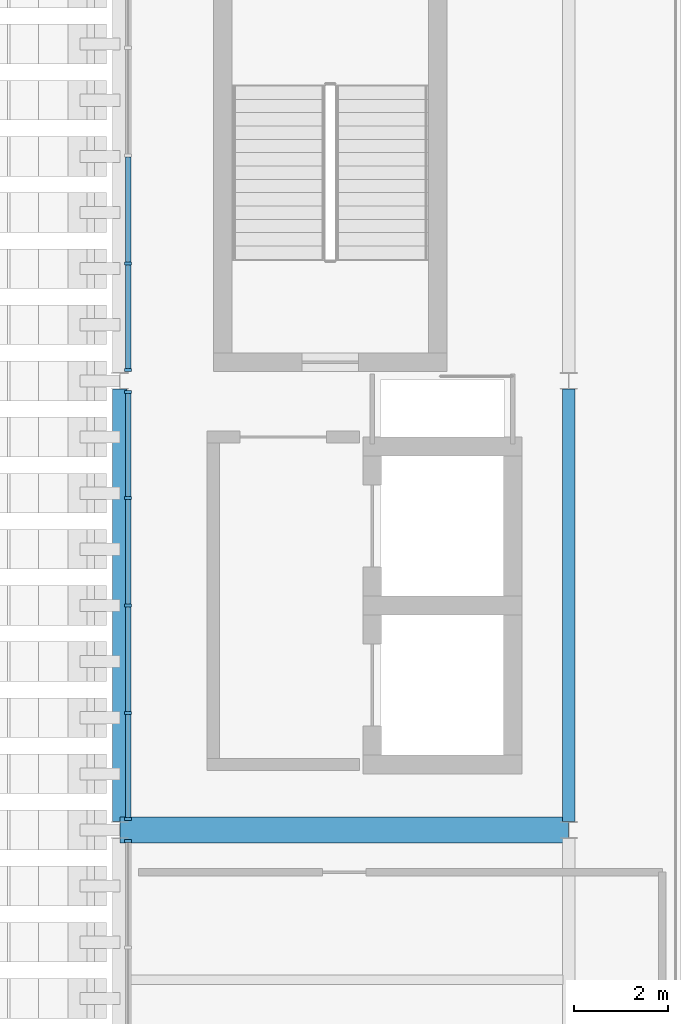
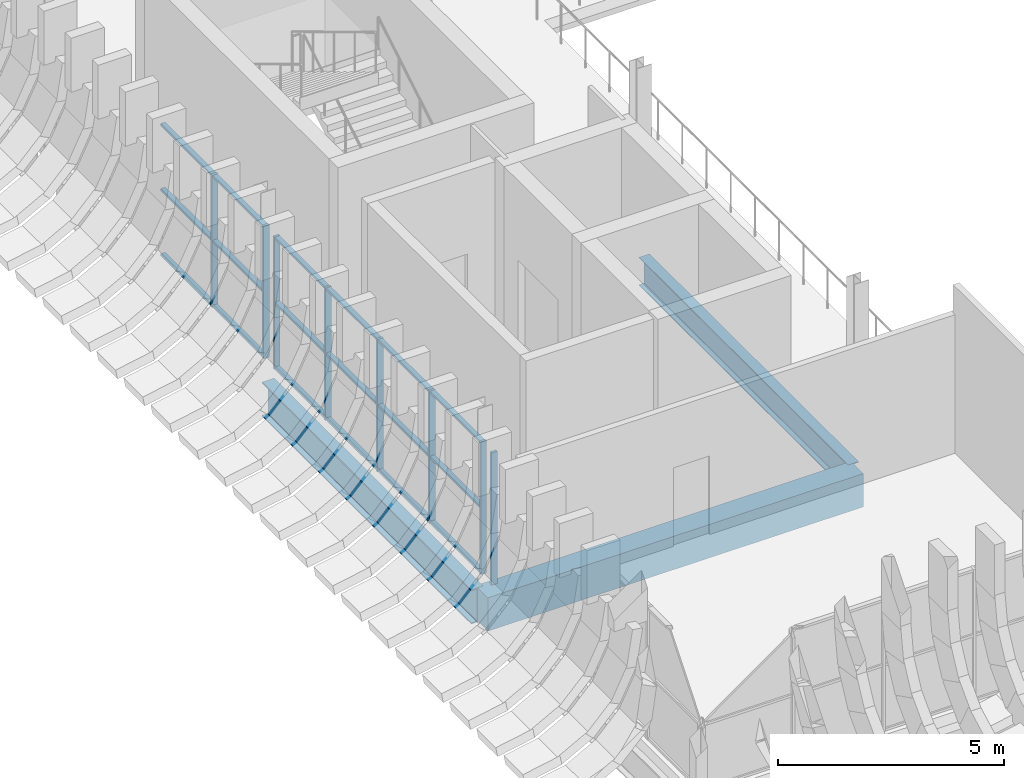
# One storey, part 16 of 100: 26 members, 3 beams, 3 elements without a shape of their own.
"""IFC4 building model written with IfcOpenShell, lengths in metres."""

import ifcopenshell
import ifcopenshell.guid

model = None  # the IFC model being written
_history = None  # IfcOwnerHistory: only IFC2X3 demands one
_inside = {}  # id of a spatial element -> (the spatial element, [elements in it])
_under = {}  # id of a project, library or spatial element -> (it, [spatial elements below it])
_declared = {}  # id of a project -> (the project, [libraries it declares])
_typed = {}  # id of a type object -> (the type object, [elements of that type])
_made_of = {}  # id of a material, layer set ... -> (it, [elements and type objects made of it])


def new_model(schema):
    """Start an empty IFC model of exactly this schema.

    Asked for "IFC4X3", IfcOpenShell would pick the latest addendum, in which some entities
    have other attributes; the version numbers below select the first issue.
    IFC2X3 requires an IfcOwnerHistory on every rooted entity: one is made here for all.
    """
    global model, _history
    if schema == "IFC4X3":
        model = ifcopenshell.file(schema_version=(4, 3, 0, 0))
    else:
        model = ifcopenshell.file(schema=schema)
    _inside.clear()
    _under.clear()
    _declared.clear()
    _typed.clear()
    _made_of.clear()
    _history = None
    if model.schema == "IFC2X3":
        org = make("IfcOrganization", Name="unknown")
        user = make(
            "IfcPersonAndOrganization",
            ThePerson=make("IfcPerson", FamilyName="unknown"),
            TheOrganization=org,
        )
        app = make(
            "IfcApplication",
            ApplicationDeveloper=org,
            Version="unknown",
            ApplicationFullName="unknown",
            ApplicationIdentifier="unknown",
        )
        _history = make(
            "IfcOwnerHistory",
            OwningUser=user,
            OwningApplication=app,
            ChangeAction="ADDED",
            CreationDate=0,
        )
    return model


def make(cls, **values):
    """One entity of the class cls with the attributes given. An attribute that is None is left unset."""
    return model.create_entity(
        cls, **{name: value for name, value in values.items() if value is not None}
    )


def rooted(cls, **values):
    """An entity with a GlobalId (a new one), such as an element, a storey or a relation."""
    return make(cls, GlobalId=ifcopenshell.guid.new(), OwnerHistory=_history, **values)


def si_unit(unit_type, name, prefix=None):
    """IfcSIUnit, for example si_unit("LENGTHUNIT", "METRE", prefix="MILLI")."""
    return make("IfcSIUnit", UnitType=unit_type, Prefix=prefix, Name=name)


def assignment(units):
    """IfcUnitAssignment: the units of a project."""
    return None if units is None else make("IfcUnitAssignment", Units=units)


def point(xyz):
    """IfcCartesianPoint."""
    return None if xyz is None else make("IfcCartesianPoint", Coordinates=xyz)


def direction(xyz):
    """IfcDirection."""
    return None if xyz is None else make("IfcDirection", DirectionRatios=xyz)


def frame(location, z_axis=None, x_axis=None):
    """IfcAxis2Placement3D, a coordinate frame: its origin and axes. An axis left out is left unset."""
    return make(
        "IfcAxis2Placement3D",
        Location=point(location),
        Axis=direction(z_axis),
        RefDirection=direction(x_axis),
    )


def frame_2d(location, x_axis=None):
    """IfcAxis2Placement2D, a coordinate frame in the plane: its origin and x axis."""
    return make(
        "IfcAxis2Placement2D", Location=point(location), RefDirection=direction(x_axis)
    )


def origin():
    """The frame at (0, 0, 0) with its axes left unset."""
    return frame((0.0, 0.0, 0.0))


def origin_2d():
    """The frame at (0, 0) in the plane with its x axis left unset."""
    return frame_2d((0.0, 0.0))


def place(relative_to, where):
    """IfcLocalPlacement: puts the frame where relative to a parent placement (None: the world)."""
    return make(
        "IfcLocalPlacement", PlacementRelTo=relative_to, RelativePlacement=where
    )


def context(
    kind, dimensions, precision=None, world=None, true_north=None, identifier=None
):
    """IfcGeometricRepresentationContext, for example the 3D "Model" context."""
    return make(
        "IfcGeometricRepresentationContext",
        ContextIdentifier=identifier,
        ContextType=kind,
        CoordinateSpaceDimension=dimensions,
        Precision=precision,
        WorldCoordinateSystem=world,
        TrueNorth=true_north,
    )


def subcontext(parent, identifier, kind, view, scale=None):
    """IfcGeometricRepresentationSubContext, for example "Body" below "Model"."""
    return make(
        "IfcGeometricRepresentationSubContext",
        ContextIdentifier=identifier,
        ContextType=kind,
        ParentContext=parent,
        TargetScale=scale,
        TargetView=view,
    )


def project(units=None, contexts=None):
    """IfcProject with its units and contexts."""
    return rooted(
        "IfcProject",
        Name="project",
        RepresentationContexts=contexts,
        UnitsInContext=assignment(units),
    )


def spatial(cls, under=None, at=None, **own):
    """A site, building, storey or space (cls), placed at a placement, below another one or the project."""
    s = rooted(cls, ObjectPlacement=at, **own)
    if under is not None:
        _under.setdefault(under.id(), (under, []))[1].append(s)
    return s


def profile(cls, at=None, kind="AREA", **sizes):
    """A parametric profile (cls). Its sizes go by their IFC names, for example OverallWidth=200.0."""
    return make(cls, ProfileType=kind, Position=at, **sizes)


def rectangle(**sizes):
    """IfcRectangleProfileDef."""
    return profile("IfcRectangleProfileDef", **sizes)


def i_section(**sizes):
    """IfcIShapeProfileDef."""
    return profile("IfcIShapeProfileDef", **sizes)


def extrude(swept, where, along, depth):
    """IfcExtrudedAreaSolid: the profile swept, set in the frame where, extruded along a direction by depth."""
    return make(
        "IfcExtrudedAreaSolid",
        SweptArea=swept,
        Position=where,
        ExtrudedDirection=direction(along),
        Depth=depth,
    )


def shape(context_of_items, identifier, shape_type, items):
    """IfcShapeRepresentation: the items that make up one representation, for example the "Body"."""
    return make(
        "IfcShapeRepresentation",
        ContextOfItems=context_of_items,
        RepresentationIdentifier=identifier,
        RepresentationType=shape_type,
        Items=items,
    )


def material(Name=None, Category=None):
    """IfcMaterial."""
    return make("IfcMaterial", Name=Name, Category=Category)


def layer(
    of_material, thickness, ventilated=None, Name=None, Category=None, Priority=None
):
    """IfcMaterialLayer: one layer of a wall or slab, of a material (None: an air gap)."""
    return make(
        "IfcMaterialLayer",
        Material=of_material,
        LayerThickness=thickness,
        IsVentilated=ventilated,
        Name=Name,
        Category=Category,
        Priority=Priority,
    )


def layer_set(layers, Name=None):
    """IfcMaterialLayerSet."""
    return make("IfcMaterialLayerSet", MaterialLayers=layers, LayerSetName=Name)


def material_profile(
    of_material, cross_section, Name=None, Category=None, Priority=None
):
    """IfcMaterialProfile: a cross section and its material."""
    return make(
        "IfcMaterialProfile",
        Name=Name,
        Material=of_material,
        Profile=cross_section,
        Priority=Priority,
        Category=Category,
    )


def profile_set(profiles, Name=None, composite=None):
    """IfcMaterialProfileSet."""
    return make(
        "IfcMaterialProfileSet",
        Name=Name,
        MaterialProfiles=profiles,
        CompositeProfile=composite,
    )


def made_of(thing, what):
    """Note that an element or type object is made of a material, layer set ...; save() writes the relation."""
    if what is not None:
        _made_of.setdefault(what.id(), (what, []))[1].append(thing)
    return thing


def type_object(cls, material=None, **own):
    """A type object (cls), such as IfcWallType, which elements share."""
    return made_of(rooted(cls, **own), material)


def element(
    cls,
    number,
    at=None,
    inside=None,
    cuts=None,
    type_object=None,
    material=None,
    context=None,
    identifier="Body",
    shape_type=None,
    held_by="IfcProductDefinitionShape",
    body=None,
    shapes=None,
    **own,
):
    """One element of the class cls, such as IfcWall. Its Tag is "e" and its number.

    at: its placement. inside: the storey or other place that contains it. cuts: it is an
    opening in that element (IfcRelVoidsElement). A single representation is given by context,
    identifier, shape_type and body (its items); several are given by shapes. held_by: the class
    of the entity that holds the representations. save() writes the other relations.
    """
    e = rooted(cls, Tag="e%d" % number, ObjectPlacement=at, **own)
    if body is not None:
        shapes = [shape(context, identifier, shape_type, body)]
    if shapes is not None:
        e.Representation = make(held_by, Representations=shapes)
    if inside is not None:
        _inside.setdefault(inside.id(), (inside, []))[1].append(e)
    if cuts is not None:
        rooted(
            "IfcRelVoidsElement", RelatingBuildingElement=cuts, RelatedOpeningElement=e
        )
    if type_object is not None:
        _typed.setdefault(type_object.id(), (type_object, []))[1].append(e)
    return made_of(e, material)


def aggregate(whole, parts):
    """IfcRelAggregates: a whole, such as a stair, and the parts it consists of."""
    return rooted("IfcRelAggregates", RelatingObject=whole, RelatedObjects=parts)


def save(model, path):
    """Write the relations noted so far, then the file.

    IfcRelAggregates (storeys below a building ...), IfcRelContainedInSpatialStructure (elements
    in a storey), IfcRelDefinesByType, IfcRelAssociatesMaterial and IfcRelDeclares: one each for
    every whole, place, type object, material and project.
    """
    for whole, parts in _under.values():
        aggregate(whole, parts)
    for where, things in _inside.values():
        rooted(
            "IfcRelContainedInSpatialStructure",
            RelatedElements=things,
            RelatingStructure=where,
        )
    for kind, things in _typed.values():
        rooted("IfcRelDefinesByType", RelatedObjects=things, RelatingType=kind)
    for what, things in _made_of.values():
        rooted("IfcRelAssociatesMaterial", RelatedObjects=things, RelatingMaterial=what)
    for by, libraries in _declared.values():
        rooted("IfcRelDeclares", RelatingContext=by, RelatedDefinitions=libraries)
    model.write(path)


model = new_model("IFC4")

# Units and contexts
model_context = context("Model", 3, precision=1e-05, world=origin(), true_north=direction((0.0, 1.0)))
body_context = subcontext(model_context, "Body", "Model", "MODEL_VIEW")
ifc_project = project(units=[si_unit("LENGTHUNIT", "METRE"), si_unit("AREAUNIT", "SQUARE_METRE"), si_unit("VOLUMEUNIT", "CUBIC_METRE"), si_unit("PLANEANGLEUNIT", "RADIAN"), si_unit("MASSUNIT", "GRAM", prefix="KILO")], contexts=[model_context])

# Site, building, storey
site_placement = place(None, origin())
site = spatial("IfcSite", under=ifc_project, at=site_placement, CompositionType="ELEMENT")
building_placement = place(site_placement, origin())
building = spatial("IfcBuilding", under=site, at=building_placement, Name="Caelomonte Colonnade Arena", CompositionType="ELEMENT")
storey_placement = place(building_placement, origin())
storey = spatial("IfcBuildingStorey", under=building, at=storey_placement, Name="L00", CompositionType="ELEMENT", Elevation=0.0)

# Curtain wall, members
ifc_material_1 = material(Name="Bronze anodised aluminium and low-E glazing", Category="aluminium")
ifc_layer = layer(ifc_material_1, 0.179931640625)
ifc_layer_set = layer_set([ifc_layer], Name="Bronze anodised aluminium and low-E glazing")
curtain_wall_type = type_object("IfcCurtainWallType", Name="ENV-CW-CW-L00-96-36", PredefinedType="USERDEFINED", material=ifc_layer_set)
curtain_wall_1_placement = place(storey_placement, origin())
curtain_wall_1 = element("IfcCurtainWall", 1, at=curtain_wall_1_placement, inside=storey, type_object=curtain_wall_type, Name="L00 unitized curtain wall CW-L00-0002-0624", ObjectType="UNITIZED CURTAIN WALL", PredefinedType="USERDEFINED")
ifc_material_2 = material(Name="Bronze anodised aluminium AA6063-T6", Category="aluminium")
ifc_material_profile_1 = material_profile(ifc_material_2, rectangle(XDim=0.06494140625, YDim=0.14990234375, at=origin_2d()), Name="CWM-65X150")
ifc_profile_set_1 = profile_set([ifc_material_profile_1], Name="Bronze anodised aluminium AA6063-T6")
member_type_1 = type_object("IfcMemberType", Name="ENV-CW-MULL2", PredefinedType="MULLION", material=ifc_profile_set_1)
member_1_placement = place(storey_placement, frame((0.179931640625, 60.110107421875, 0.0), z_axis=(0.0, 0.0, 1.0), x_axis=(0.0, -1.0, 0.0)))
member_1 = element("IfcMember", 2, at=member_1_placement, type_object=member_type_1, Name="CW-L00-96-36 mullion 4", PredefinedType="MULLION", context=body_context, shape_type="SweptSolid", body=[
    extrude(rectangle(XDim=0.06494140625, YDim=0.14990234375, at=origin_2d()), origin(), (0.0, 0.0, 1.0), 3.572998046875),
])
member_2_placement = place(storey_placement, frame((0.179931640625, 57.8369140625, 0.0), z_axis=(0.0, 0.0, 1.0), x_axis=(0.0, -1.0, 0.0)))
member_2 = element("IfcMember", 3, at=member_2_placement, type_object=member_type_1, Name="CW-L00-96-36 mullion 5", PredefinedType="MULLION", context=body_context, shape_type="SweptSolid", body=[
    extrude(rectangle(XDim=0.06494140625, YDim=0.14990234375, at=origin_2d()), origin(), (0.0, 0.0, 1.0), 3.572998046875),
])

curtain_wall_2_placement = place(storey_placement, origin())
curtain_wall_2 = element("IfcCurtainWall", 4, at=curtain_wall_2_placement, inside=storey, type_object=curtain_wall_type, Name="L00 unitized curtain wall CW-L00-0002-0528", ObjectType="UNITIZED CURTAIN WALL", PredefinedType="USERDEFINED")
member_3_placement = place(storey_placement, frame((0.179931640625, 57.363037109375, 0.0), z_axis=(0.0, 0.0, 1.0), x_axis=(0.0, -1.0, 0.0)))
member_3 = element("IfcMember", 5, at=member_3_placement, type_object=member_type_1, Name="CW-L00-96-36 mullion 1", PredefinedType="MULLION", context=body_context, shape_type="SweptSolid", body=[
    extrude(rectangle(XDim=0.06494140625, YDim=0.14990234375, at=origin_2d()), origin(), (0.0, 0.0, 1.0), 3.572998046875),
])
member_4_placement = place(storey_placement, frame((0.179931640625, 55.097900390625, 0.0), z_axis=(0.0, 0.0, 1.0), x_axis=(0.0, -1.0, 0.0)))
member_4 = element("IfcMember", 6, at=member_4_placement, type_object=member_type_1, Name="CW-L00-96-36 mullion 2", PredefinedType="MULLION", context=body_context, shape_type="SweptSolid", body=[
    extrude(rectangle(XDim=0.06494140625, YDim=0.14990234375, at=origin_2d()), origin(), (0.0, 0.0, 1.0), 3.572998046875),
])
member_5_placement = place(storey_placement, frame((0.179931640625, 52.800048828125, 0.0), z_axis=(0.0, 0.0, 1.0), x_axis=(0.0, -1.0, 0.0)))
member_5 = element("IfcMember", 7, at=member_5_placement, type_object=member_type_1, Name="CW-L00-96-36 mullion 3", PredefinedType="MULLION", context=body_context, shape_type="SweptSolid", body=[
    extrude(rectangle(XDim=0.06494140625, YDim=0.14990234375, at=origin_2d()), origin(), (0.0, 0.0, 1.0), 3.572998046875),
])
member_6_placement = place(storey_placement, frame((0.179931640625, 50.502197265625, 0.0), z_axis=(0.0, 0.0, 1.0), x_axis=(0.0, -1.0, 0.0)))
member_6 = element("IfcMember", 8, at=member_6_placement, type_object=member_type_1, Name="CW-L00-96-36 mullion 4", PredefinedType="MULLION", context=body_context, shape_type="SweptSolid", body=[
    extrude(rectangle(XDim=0.06494140625, YDim=0.14990234375, at=origin_2d()), origin(), (0.0, 0.0, 1.0), 3.572998046875),
])
member_7_placement = place(storey_placement, frame((0.179931640625, 48.23681640625, 0.0), z_axis=(0.0, 0.0, 1.0), x_axis=(0.0, -1.0, 0.0)))
member_7 = element("IfcMember", 9, at=member_7_placement, type_object=member_type_1, Name="CW-L00-96-36 mullion 5", PredefinedType="MULLION", context=body_context, shape_type="SweptSolid", body=[
    extrude(rectangle(XDim=0.06494140625, YDim=0.14990234375, at=origin_2d()), origin(), (0.0, 0.0, 1.0), 3.572998046875),
])

# Curtain wall, member
curtain_wall_3_placement = place(storey_placement, origin())
curtain_wall_3 = element("IfcCurtainWall", 10, at=curtain_wall_3_placement, inside=storey, type_object=curtain_wall_type, Name="L00 unitized curtain wall CW-L00-0002-0432", ObjectType="UNITIZED CURTAIN WALL", PredefinedType="USERDEFINED")
member_8_placement = place(storey_placement, frame((0.179931640625, 47.76318359375, 0.0), z_axis=(0.0, 0.0, 1.0), x_axis=(0.0, -1.0, 0.0)))
member_8 = element("IfcMember", 11, at=member_8_placement, type_object=member_type_1, Name="CW-L00-96-36 mullion 1", PredefinedType="MULLION", context=body_context, shape_type="SweptSolid", body=[
    extrude(rectangle(XDim=0.06494140625, YDim=0.14990234375, at=origin_2d()), origin(), (0.0, 0.0, 1.0), 3.572998046875),
])
aggregate(curtain_wall_3, [member_8])

# Member
ifc_material_profile_2 = material_profile(ifc_material_2, rectangle(XDim=0.06494140625, YDim=0.1201171875, at=origin_2d()), Name="CWT-65X120")
ifc_profile_set_2 = profile_set([ifc_material_profile_2], Name="Bronze anodised aluminium AA6063-T6")
member_type_2 = type_object("IfcMemberType", Name="ENV-CW-TRAN2", PredefinedType="USERDEFINED", material=ifc_profile_set_2)
member_9_placement = place(storey_placement, frame((0.179931640625, 62.383544921875, 0.032470703125), z_axis=(0.0, -1.0, 0.0), x_axis=(0.0, 0.0, 1.0)))
member_9 = element("IfcMember", 12, at=member_9_placement, type_object=member_type_2, Name="CW-L00-96-36 transom 3.1", ObjectType="TRANSOM", PredefinedType="USERDEFINED", context=body_context, shape_type="SweptSolid", body=[
    extrude(rectangle(XDim=0.06494140625, YDim=0.1201171875, at=origin_2d()), origin(), (0.0, 0.0, 1.0), 2.240966796875),
])

member_10_placement = place(storey_placement, frame((0.179931640625, 62.383544921875, 1.78662109375), z_axis=(0.0, -1.0, 0.0), x_axis=(0.0, 0.0, 1.0)))
member_10 = element("IfcMember", 13, at=member_10_placement, type_object=member_type_2, Name="CW-L00-96-36 transom 3.2", ObjectType="TRANSOM", PredefinedType="USERDEFINED", context=body_context, shape_type="SweptSolid", body=[
    extrude(rectangle(XDim=0.06494140625, YDim=0.1201171875, at=origin_2d()), origin(), (0.0, 0.0, 1.0), 2.240966796875),
])

member_11_placement = place(storey_placement, frame((0.179931640625, 62.383544921875, 3.54052734375), z_axis=(0.0, -1.0, 0.0), x_axis=(0.0, 0.0, 1.0)))
member_11 = element("IfcMember", 14, at=member_11_placement, type_object=member_type_2, Name="CW-L00-96-36 transom 3.3", ObjectType="TRANSOM", PredefinedType="USERDEFINED", context=body_context, shape_type="SweptSolid", body=[
    extrude(rectangle(XDim=0.06494140625, YDim=0.1201171875, at=origin_2d()), origin(), (0.0, 0.0, 1.0), 2.240966796875),
])

member_12_placement = place(storey_placement, frame((0.179931640625, 60.07763671875, 0.032470703125), z_axis=(0.0, -1.0, 0.0), x_axis=(0.0, 0.0, 1.0)))
member_12 = element("IfcMember", 15, at=member_12_placement, type_object=member_type_2, Name="CW-L00-96-36 transom 4.1", ObjectType="TRANSOM", PredefinedType="USERDEFINED", context=body_context, shape_type="SweptSolid", body=[
    extrude(rectangle(XDim=0.06494140625, YDim=0.1201171875, at=origin_2d()), origin(), (0.0, 0.0, 1.0), 2.208251953125),
])

member_13_placement = place(storey_placement, frame((0.179931640625, 60.07763671875, 1.78662109375), z_axis=(0.0, -1.0, 0.0), x_axis=(0.0, 0.0, 1.0)))
member_13 = element("IfcMember", 16, at=member_13_placement, type_object=member_type_2, Name="CW-L00-96-36 transom 4.2", ObjectType="TRANSOM", PredefinedType="USERDEFINED", context=body_context, shape_type="SweptSolid", body=[
    extrude(rectangle(XDim=0.06494140625, YDim=0.1201171875, at=origin_2d()), origin(), (0.0, 0.0, 1.0), 2.208251953125),
])

member_14_placement = place(storey_placement, frame((0.179931640625, 60.07763671875, 3.54052734375), z_axis=(0.0, -1.0, 0.0), x_axis=(0.0, 0.0, 1.0)))
member_14 = element("IfcMember", 17, at=member_14_placement, type_object=member_type_2, Name="CW-L00-96-36 transom 4.3", ObjectType="TRANSOM", PredefinedType="USERDEFINED", context=body_context, shape_type="SweptSolid", body=[
    extrude(rectangle(XDim=0.06494140625, YDim=0.1201171875, at=origin_2d()), origin(), (0.0, 0.0, 1.0), 2.208251953125),
])

aggregate(curtain_wall_1, [member_1, member_2, member_9, member_10, member_11, member_12, member_13, member_14])

member_15_placement = place(storey_placement, frame((0.179931640625, 57.33056640625, 0.032470703125), z_axis=(0.0, -1.0, 0.0), x_axis=(0.0, 0.0, 1.0)))
member_15 = element("IfcMember", 18, at=member_15_placement, type_object=member_type_2, Name="CW-L00-96-36 transom 1.1", ObjectType="TRANSOM", PredefinedType="USERDEFINED", context=body_context, shape_type="SweptSolid", body=[
    extrude(rectangle(XDim=0.06494140625, YDim=0.1201171875, at=origin_2d()), origin(), (0.0, 0.0, 1.0), 2.2001953125),
])

member_16_placement = place(storey_placement, frame((0.179931640625, 57.33056640625, 1.78662109375), z_axis=(0.0, -1.0, 0.0), x_axis=(0.0, 0.0, 1.0)))
member_16 = element("IfcMember", 19, at=member_16_placement, type_object=member_type_2, Name="CW-L00-96-36 transom 1.2", ObjectType="TRANSOM", PredefinedType="USERDEFINED", context=body_context, shape_type="SweptSolid", body=[
    extrude(rectangle(XDim=0.06494140625, YDim=0.1201171875, at=origin_2d()), origin(), (0.0, 0.0, 1.0), 2.2001953125),
])

member_17_placement = place(storey_placement, frame((0.179931640625, 57.33056640625, 3.54052734375), z_axis=(0.0, -1.0, 0.0), x_axis=(0.0, 0.0, 1.0)))
member_17 = element("IfcMember", 20, at=member_17_placement, type_object=member_type_2, Name="CW-L00-96-36 transom 1.3", ObjectType="TRANSOM", PredefinedType="USERDEFINED", context=body_context, shape_type="SweptSolid", body=[
    extrude(rectangle(XDim=0.06494140625, YDim=0.1201171875, at=origin_2d()), origin(), (0.0, 0.0, 1.0), 2.2001953125),
])

member_18_placement = place(storey_placement, frame((0.179931640625, 55.065185546875, 0.032470703125), z_axis=(0.0, -1.0, 0.0), x_axis=(0.0, 0.0, 1.0)))
member_18 = element("IfcMember", 21, at=member_18_placement, type_object=member_type_2, Name="CW-L00-96-36 transom 2.1", ObjectType="TRANSOM", PredefinedType="USERDEFINED", context=body_context, shape_type="SweptSolid", body=[
    extrude(rectangle(XDim=0.06494140625, YDim=0.1201171875, at=origin_2d()), origin(), (0.0, 0.0, 1.0), 2.232666015625),
])

member_19_placement = place(storey_placement, frame((0.179931640625, 55.065185546875, 1.78662109375), z_axis=(0.0, -1.0, 0.0), x_axis=(0.0, 0.0, 1.0)))
member_19 = element("IfcMember", 22, at=member_19_placement, type_object=member_type_2, Name="CW-L00-96-36 transom 2.2", ObjectType="TRANSOM", PredefinedType="USERDEFINED", context=body_context, shape_type="SweptSolid", body=[
    extrude(rectangle(XDim=0.06494140625, YDim=0.1201171875, at=origin_2d()), origin(), (0.0, 0.0, 1.0), 2.232666015625),
])

member_20_placement = place(storey_placement, frame((0.179931640625, 55.065185546875, 3.54052734375), z_axis=(0.0, -1.0, 0.0), x_axis=(0.0, 0.0, 1.0)))
member_20 = element("IfcMember", 23, at=member_20_placement, type_object=member_type_2, Name="CW-L00-96-36 transom 2.3", ObjectType="TRANSOM", PredefinedType="USERDEFINED", context=body_context, shape_type="SweptSolid", body=[
    extrude(rectangle(XDim=0.06494140625, YDim=0.1201171875, at=origin_2d()), origin(), (0.0, 0.0, 1.0), 2.232666015625),
])

member_21_placement = place(storey_placement, frame((0.179931640625, 52.767578125, 0.032470703125), z_axis=(0.0, -1.0, 0.0), x_axis=(0.0, 0.0, 1.0)))
member_21 = element("IfcMember", 24, at=member_21_placement, type_object=member_type_2, Name="CW-L00-96-36 transom 3.1", ObjectType="TRANSOM", PredefinedType="USERDEFINED", context=body_context, shape_type="SweptSolid", body=[
    extrude(rectangle(XDim=0.06494140625, YDim=0.1201171875, at=origin_2d()), origin(), (0.0, 0.0, 1.0), 2.23291015625),
])

member_22_placement = place(storey_placement, frame((0.179931640625, 52.767578125, 1.78662109375), z_axis=(0.0, -1.0, 0.0), x_axis=(0.0, 0.0, 1.0)))
member_22 = element("IfcMember", 25, at=member_22_placement, type_object=member_type_2, Name="CW-L00-96-36 transom 3.2", ObjectType="TRANSOM", PredefinedType="USERDEFINED", context=body_context, shape_type="SweptSolid", body=[
    extrude(rectangle(XDim=0.06494140625, YDim=0.1201171875, at=origin_2d()), origin(), (0.0, 0.0, 1.0), 2.23291015625),
])

member_23_placement = place(storey_placement, frame((0.179931640625, 52.767578125, 3.54052734375), z_axis=(0.0, -1.0, 0.0), x_axis=(0.0, 0.0, 1.0)))
member_23 = element("IfcMember", 26, at=member_23_placement, type_object=member_type_2, Name="CW-L00-96-36 transom 3.3", ObjectType="TRANSOM", PredefinedType="USERDEFINED", context=body_context, shape_type="SweptSolid", body=[
    extrude(rectangle(XDim=0.06494140625, YDim=0.1201171875, at=origin_2d()), origin(), (0.0, 0.0, 1.0), 2.23291015625),
])

member_24_placement = place(storey_placement, frame((0.179931640625, 50.4697265625, 0.032470703125), z_axis=(0.0, -1.0, 0.0), x_axis=(0.0, 0.0, 1.0)))
member_24 = element("IfcMember", 27, at=member_24_placement, type_object=member_type_2, Name="CW-L00-96-36 transom 4.1", ObjectType="TRANSOM", PredefinedType="USERDEFINED", context=body_context, shape_type="SweptSolid", body=[
    extrude(rectangle(XDim=0.06494140625, YDim=0.1201171875, at=origin_2d()), origin(), (0.0, 0.0, 1.0), 2.200439453125),
])

member_25_placement = place(storey_placement, frame((0.179931640625, 50.4697265625, 1.78662109375), z_axis=(0.0, -1.0, 0.0), x_axis=(0.0, 0.0, 1.0)))
member_25 = element("IfcMember", 28, at=member_25_placement, type_object=member_type_2, Name="CW-L00-96-36 transom 4.2", ObjectType="TRANSOM", PredefinedType="USERDEFINED", context=body_context, shape_type="SweptSolid", body=[
    extrude(rectangle(XDim=0.06494140625, YDim=0.1201171875, at=origin_2d()), origin(), (0.0, 0.0, 1.0), 2.200439453125),
])

member_26_placement = place(storey_placement, frame((0.179931640625, 50.4697265625, 3.54052734375), z_axis=(0.0, -1.0, 0.0), x_axis=(0.0, 0.0, 1.0)))
member_26 = element("IfcMember", 29, at=member_26_placement, type_object=member_type_2, Name="CW-L00-96-36 transom 4.3", ObjectType="TRANSOM", PredefinedType="USERDEFINED", context=body_context, shape_type="SweptSolid", body=[
    extrude(rectangle(XDim=0.06494140625, YDim=0.1201171875, at=origin_2d()), origin(), (0.0, 0.0, 1.0), 2.200439453125),
])

aggregate(curtain_wall_2, [member_3, member_4, member_5, member_6, member_7, member_15, member_16, member_17, member_18, member_19, member_20, member_21, member_22, member_23, member_24, member_25, member_26])

# Beams
ifc_material_3 = material(Name="Wide-flange steel ASTM A992 Grade 50", Category="steel")
ifc_material_profile_3 = material_profile(ifc_material_3, i_section(OverallWidth=0.307861328125, OverallDepth=0.927001953125, WebThickness=0.019287109375, FlangeThickness=0.031982421875, FilletRadius=0.020263671875, at=origin_2d()), Name="W36X194")
ifc_profile_set_3 = profile_set([ifc_material_profile_3], Name="Wide-flange steel ASTM A992 Grade 50")
beam_type_1 = type_object("IfcBeamType", Name="STR-BM-EAVES2", PredefinedType="SPANDREL", material=ifc_profile_set_3)
beam_1_placement = place(storey_placement, frame((0.0, 48.17822265625, -0.763427734375), z_axis=(0.0, 1.0, 0.0), x_axis=(-1.0, 0.0, 0.0)))
element("IfcBeam", 30, at=beam_1_placement, inside=storey, type_object=beam_type_1, Name="L00 girder BMY-L00-0000-0480", PredefinedType="SPANDREL", context=body_context, shape_type="SweptSolid", body=[
    extrude(i_section(OverallWidth=0.307861328125, OverallDepth=0.927001953125, WebThickness=0.019287109375, FlangeThickness=0.031982421875, FilletRadius=0.020263671875, at=origin_2d()), origin(), (0.0, 0.0, 1.0), 9.24365234375),
])
ifc_material_profile_4 = material_profile(ifc_material_3, i_section(OverallWidth=0.2666015625, OverallDepth=0.761962890625, WebThickness=0.014404296875, FlangeThickness=0.021484375, FilletRadius=0.0166015625, at=origin_2d()), Name="W30X116")
ifc_profile_set_4 = profile_set([ifc_material_profile_4], Name="Wide-flange steel ASTM A992 Grade 50")
beam_type_2 = type_object("IfcBeamType", Name="STR-BM-GIRD30", PredefinedType="BEAM", material=ifc_profile_set_4)
beam_2_placement = place(storey_placement, frame((9.60009765625, 48.17822265625, -0.680908203125), z_axis=(0.0, 1.0, 0.0), x_axis=(-1.0, 0.0, 0.0)))
element("IfcBeam", 31, at=beam_2_placement, inside=storey, type_object=beam_type_2, Name="L00 girder BMY-L00-0096-0480", PredefinedType="BEAM", context=body_context, shape_type="SweptSolid", body=[
    extrude(i_section(OverallWidth=0.2666015625, OverallDepth=0.761962890625, WebThickness=0.014404296875, FlangeThickness=0.021484375, FilletRadius=0.0166015625, at=origin_2d()), origin(), (0.0, 0.0, 1.0), 9.24365234375),
])
ifc_material_4 = material(Name="Concrete C40/50", Category="concrete")
ifc_material_profile_5 = material_profile(ifc_material_4, rectangle(XDim=0.550048828125, YDim=0.89990234375, at=origin_2d()), Name="RC550X900")
ifc_profile_set_5 = profile_set([ifc_material_profile_5], Name="Concrete C40/50")
beam_type_3 = type_object("IfcBeamType", Name="STR-BM-RC55", PredefinedType="BEAM", material=ifc_profile_set_5)
beam_3_placement = place(storey_placement, frame((0.00830078125, 48.0, -0.75), z_axis=(1.0, 0.0, 0.0), x_axis=(0.0, 1.0, 0.0)))
element("IfcBeam", 32, at=beam_3_placement, inside=storey, type_object=beam_type_3, Name="L00 girder BMX-L00-0000-0480", PredefinedType="BEAM", context=body_context, shape_type="SweptSolid", body=[
    extrude(rectangle(XDim=0.550048828125, YDim=0.89990234375, at=origin_2d()), origin(), (0.0, 0.0, 1.0), 9.58349609375),
])

save(model, "model.ifc")
